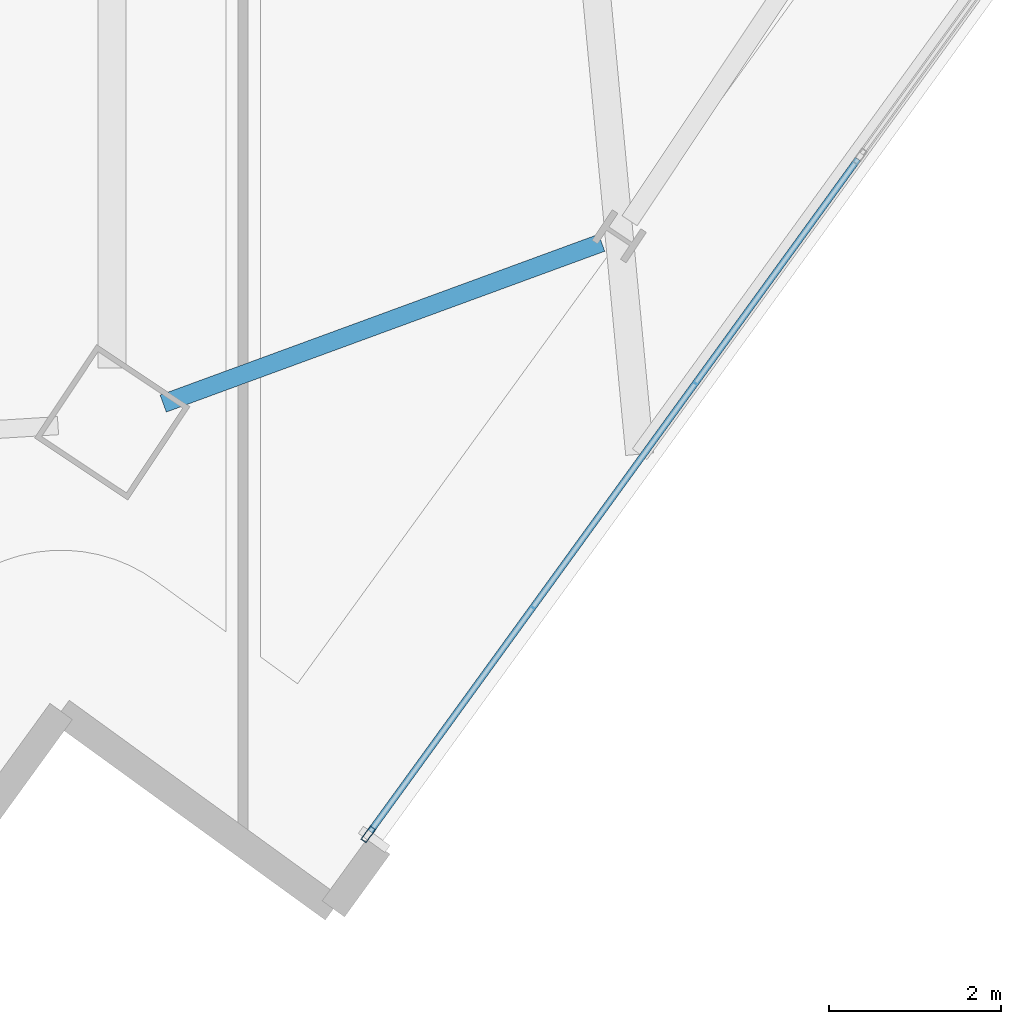
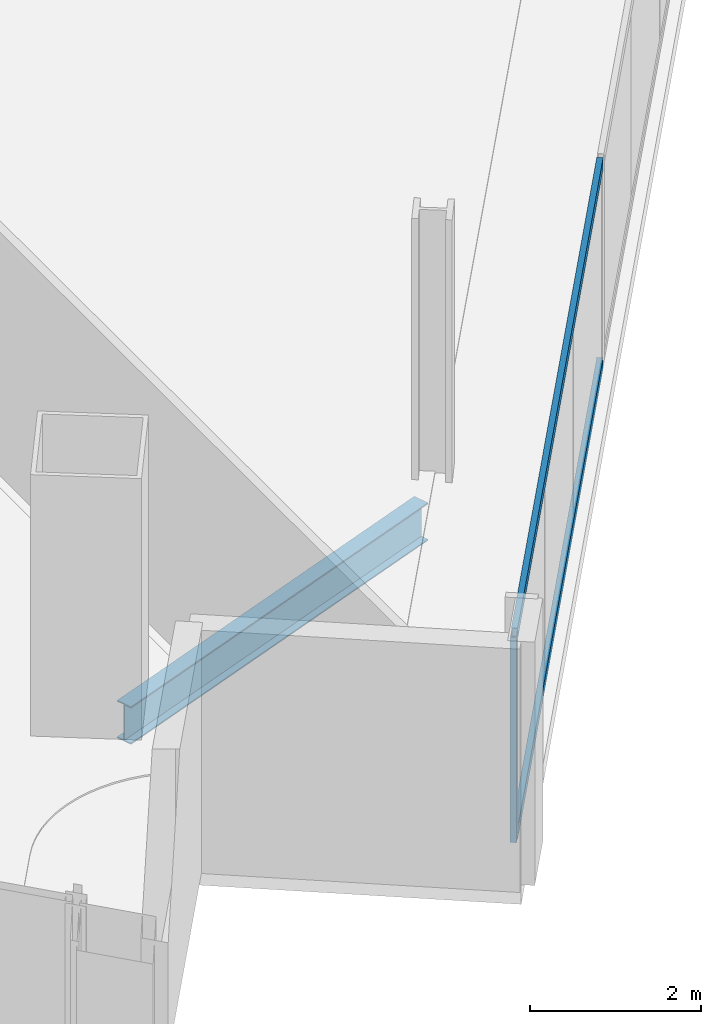
# One storey, part 8 of 29: 3 members, 1 beam, 1 element without a shape of its own.
"""IFC4 building model written with IfcOpenShell, lengths in metres."""

from ifc_helpers import new_model, si_unit, direction, frame, origin, origin_2d, place, context, subcontext, project, spatial, hollow_rectangle, i_section, extrude, material, material_profile, profile_set, type_object, element, aggregate, save


model = new_model("IFC4")

# Units and contexts
model_context = context("Model", 3, precision=1e-05, world=origin(), true_north=direction((0.0, 1.0)))
body_context = subcontext(model_context, "Body", "Model", "MODEL_VIEW")
ifc_project = project(units=[si_unit("LENGTHUNIT", "METRE"), si_unit("AREAUNIT", "SQUARE_METRE"), si_unit("VOLUMEUNIT", "CUBIC_METRE"), si_unit("PLANEANGLEUNIT", "RADIAN"), si_unit("MASSUNIT", "GRAM", prefix="KILO")], contexts=[model_context])

# Site, building, storey
site_placement = place(None, origin())
site = spatial("IfcSite", under=ifc_project, at=site_placement, CompositionType="ELEMENT")
building_placement = place(site_placement, origin())
building = spatial("IfcBuilding", under=site, at=building_placement, Name="Haldenkirk Collegiate Tower", CompositionType="ELEMENT")
storey_placement = place(building_placement, frame((0.0, 0.0, 209.699951171875)))
storey = spatial("IfcBuildingStorey", under=building, at=storey_placement, Name="L52", CompositionType="ELEMENT", Elevation=209.699951171875)

# Beam
ifc_material_1 = material(Name="Steel ASTM A992 Grade 50", Category="steel")
ifc_material_profile_1 = material_profile(ifc_material_1, i_section(OverallWidth=0.2099609375, OverallDepth=0.537109375, WebThickness=0.010986328125, FlangeThickness=0.017333984375, at=origin_2d()), Name="W21X68")
ifc_profile_set_1 = profile_set([ifc_material_profile_1], Name="Steel ASTM A992 Grade 50")
beam_type = type_object("IfcBeamType", Name="BM-SPANDREL-W21X68", PredefinedType="SPANDREL", material=ifc_profile_set_1)
beam_placement = place(storey_placement, frame((41.07421875, 1.5498046875, -0.54833984375), z_axis=(0.938836975249, 0.344361922843, 0.0), x_axis=(-0.344361922843, 0.938836975249, 0.0)))
element("IfcBeam", 1, at=beam_placement, inside=storey, type_object=beam_type, Name="L52 perimeter spandrel beam 01", PredefinedType="SPANDREL", context=body_context, shape_type="SweptSolid", body=[
    extrude(i_section(OverallWidth=0.2099609375, OverallDepth=0.537109375, WebThickness=0.010986328125, FlangeThickness=0.017333984375, at=origin_2d()), origin(), (0.0, 0.0, 1.0), 5.41650390625),
])

# Curtain wall, members
ifc_material_2 = material(Name="Anodised architectural bronze aluminium", Category="aluminium")
curtain_wall_type = type_object("IfcCurtainWallType", Name="CW-SYS2-CONCAVE", PredefinedType="USERDEFINED", material=ifc_material_2)
curtain_wall_placement = place(storey_placement, origin())
curtain_wall = element("IfcCurtainWall", 2, at=curtain_wall_placement, inside=storey, type_object=curtain_wall_type, Name="L52 South concave recessed bronze-anodised curtain wall", ObjectType="UNITISED CURTAIN WALL", PredefinedType="USERDEFINED")
ifc_material_profile_2 = material_profile(ifc_material_2, hollow_rectangle(XDim=0.074951171875, YDim=0.18994140625, WallThickness=0.0048828125, at=origin_2d()), Name="CW-MUL-02")
ifc_profile_set_2 = profile_set([ifc_material_profile_2], Name="Anodised architectural bronze aluminium")
member_type_1 = type_object("IfcMemberType", Name="CW-MUL-02", PredefinedType="MULLION", material=ifc_profile_set_2)
member_1_placement = place(storey_placement, frame((43.4521484375, -3.446044921875, 0.0), z_axis=(0.0, 0.0, 1.0), x_axis=(0.809528917851, -0.587080004057, 0.0)))
member_1 = element("IfcMember", 3, at=member_1_placement, type_object=member_type_1, Name="CW-02 mullion 5", PredefinedType="MULLION", context=body_context, shape_type="SweptSolid", body=[
    extrude(hollow_rectangle(XDim=0.074951171875, YDim=0.18994140625, WallThickness=0.0048828125, at=origin_2d()), origin(), (0.0, 0.0, 1.0), 2.927978515625),
])
ifc_material_profile_3 = material_profile(ifc_material_2, hollow_rectangle(XDim=0.074951171875, YDim=0.159912109375, WallThickness=0.0048828125, at=origin_2d()), Name="CW-TRN-02")
ifc_profile_set_3 = profile_set([ifc_material_profile_3], Name="Anodised architectural bronze aluminium")
member_type_2 = type_object("IfcMemberType", Name="CW-TRN-02", PredefinedType="USERDEFINED", material=ifc_profile_set_3)
member_2_placement = place(storey_placement, frame((49.13232421875, 4.385986328125, 0.03759765625), z_axis=(-0.587098739025, -0.809515330698, 0.0), x_axis=(0.809515330698, -0.587098739025, 0.0)))
member_2 = element("IfcMember", 4, at=member_2_placement, type_object=member_type_2, Name="CW-02 transom 4.1", ObjectType="TRANSOM", PredefinedType="USERDEFINED", context=body_context, shape_type="SweptSolid", body=[
    extrude(hollow_rectangle(XDim=0.074951171875, YDim=0.159912109375, WallThickness=0.0048828125, at=origin_2d()), origin(), (0.0, 0.0, 1.0), 9.637451171875),
])
member_3_placement = place(storey_placement, frame((49.13232421875, 4.385986328125, 2.890625), z_axis=(-0.587098739025, -0.809515330698, 0.0), x_axis=(0.809515330698, -0.587098739025, 0.0)))
member_3 = element("IfcMember", 5, at=member_3_placement, type_object=member_type_2, Name="CW-02 transom 4.2", ObjectType="TRANSOM", PredefinedType="USERDEFINED", context=body_context, shape_type="SweptSolid", body=[
    extrude(hollow_rectangle(XDim=0.074951171875, YDim=0.159912109375, WallThickness=0.0048828125, at=origin_2d()), origin(), (0.0, 0.0, 1.0), 9.637451171875),
])
aggregate(curtain_wall, [member_1, member_2, member_3])

save(model, "model.ifc")
